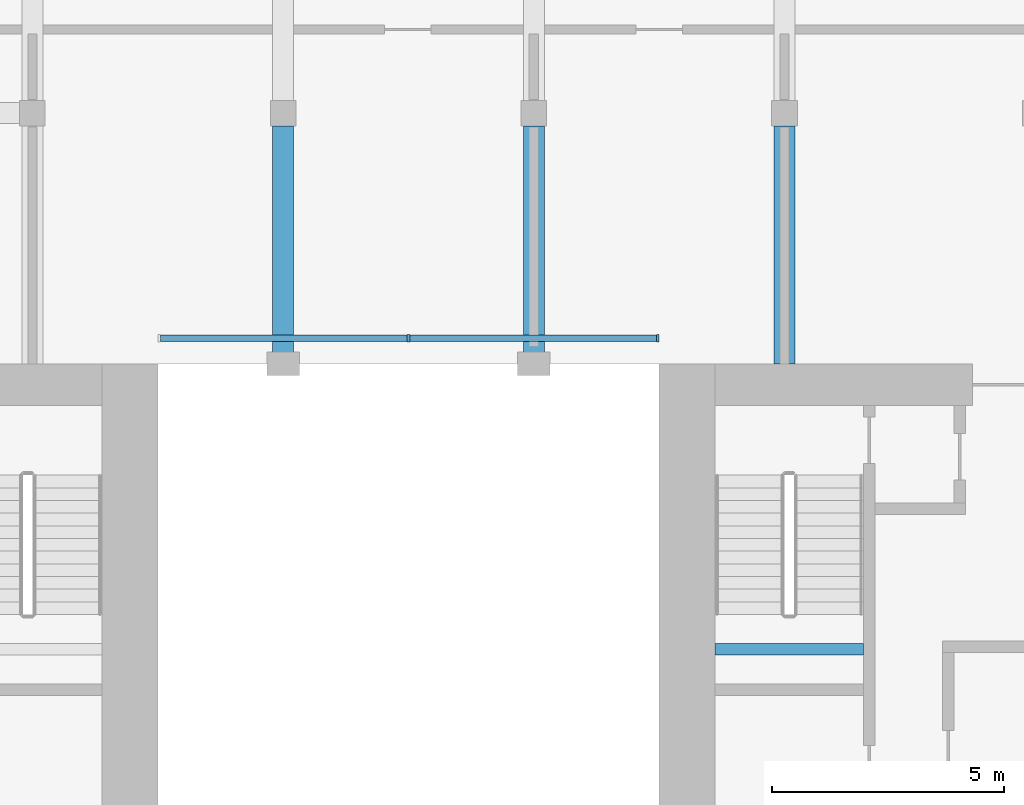
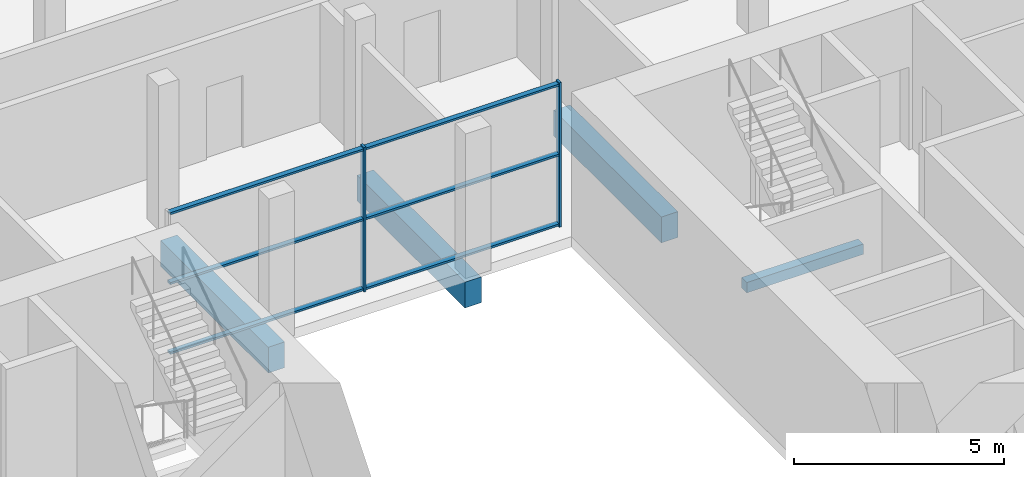
# One storey, part 4 of 12: 8 members, 4 beams, 1 element without a shape of its own.
"""IFC4 building model written with IfcOpenShell, lengths in metres."""

from ifc_helpers import new_model, si_unit, direction, frame, origin, origin_2d, place, context, subcontext, project, spatial, rectangle, extrude, material, material_profile, profile_set, type_object, element, aggregate, save


model = new_model("IFC4")

# Units and contexts
model_context = context("Model", 3, precision=1e-05, world=origin(), true_north=direction((0.0, 1.0)))
body_context = subcontext(model_context, "Body", "Model", "MODEL_VIEW")
ifc_project = project(units=[si_unit("LENGTHUNIT", "METRE"), si_unit("AREAUNIT", "SQUARE_METRE"), si_unit("VOLUMEUNIT", "CUBIC_METRE"), si_unit("PLANEANGLEUNIT", "RADIAN"), si_unit("MASSUNIT", "GRAM", prefix="KILO")], contexts=[model_context])

# Site, building, storey
site_placement = place(None, origin())
site = spatial("IfcSite", under=ifc_project, at=site_placement, CompositionType="ELEMENT")
building_placement = place(site_placement, origin())
building = spatial("IfcBuilding", under=site, at=building_placement, Name="Tabaq Tower and Sports Hall", CompositionType="ELEMENT")
storey_placement = place(building_placement, frame((0.0, 0.0, 317.199951171875)))
storey = spatial("IfcBuildingStorey", under=building, at=storey_placement, Name="L79", CompositionType="ELEMENT", Elevation=317.199951171875)

# Curtain wall, members
ifc_material_1 = material(Name="Aluminium alloy 6063-T6 framed glazing", Category="aluminium")
curtain_wall_type = type_object("IfcCurtainWallType", Name="CW1 curtain wall", PredefinedType="USERDEFINED", material=ifc_material_1)
curtain_wall_placement = place(storey_placement, origin())
curtain_wall = element("IfcCurtainWall", 1, at=curtain_wall_placement, inside=storey, type_object=curtain_wall_type, Name="Atrium glazing L79 N", ObjectType="ATRIUM ENCLOSURE", PredefinedType="USERDEFINED")
ifc_material_2 = material(Name="Aluminium alloy 6063-T6", Category="aluminium")
ifc_material_profile_1 = material_profile(ifc_material_2, rectangle(XDim=0.159912109375, YDim=0.06005859375, at=origin_2d()), Name="MULLION 160x60")
ifc_profile_set_1 = profile_set([ifc_material_profile_1], Name="Aluminium alloy 6063-T6")
member_type_1 = type_object("IfcMemberType", Name="CW1 mullion 160x60", PredefinedType="MULLION", material=ifc_profile_set_1)
member_1_placement = place(storey_placement, frame((24.300048828125, 32.949951171875, 0.0), z_axis=(0.0, 0.0, 1.0), x_axis=(0.0, 1.0, 0.0)))
member_1 = element("IfcMember", 2, at=member_1_placement, type_object=member_type_1, Name="CW1 mullion 2", PredefinedType="MULLION", context=body_context, shape_type="SweptSolid", body=[
    extrude(rectangle(XDim=0.159912109375, YDim=0.06005859375, at=origin_2d()), origin(), (0.0, 0.0, 1.0), 4.199951171875),
])
member_2_placement = place(storey_placement, frame((29.669921875, 32.949951171875, 0.0), z_axis=(0.0, 0.0, 1.0), x_axis=(0.0, 1.0, 0.0)))
member_2 = element("IfcMember", 3, at=member_2_placement, type_object=member_type_1, Name="CW1 mullion 3", PredefinedType="MULLION", context=body_context, shape_type="SweptSolid", body=[
    extrude(rectangle(XDim=0.159912109375, YDim=0.06005859375, at=origin_2d()), origin(), (0.0, 0.0, 1.0), 4.199951171875),
])
ifc_material_3 = material(Name="Aluminium alloy 6063-T6", Category="aluminium")
ifc_material_profile_2 = material_profile(ifc_material_3, rectangle(XDim=0.139892578125, YDim=0.06005859375, at=origin_2d()), Name="TRANSOM 140x60")
ifc_profile_set_2 = profile_set([ifc_material_profile_2], Name="Aluminium alloy 6063-T6")
member_type_2 = type_object("IfcMemberType", Name="CW1 transom 140x60", PredefinedType="USERDEFINED", material=ifc_profile_set_2)
member_3_placement = place(storey_placement, frame((18.9599609375, 32.949951171875, 0.070068359375), z_axis=(1.0, 0.0, 0.0), x_axis=(0.0, 1.0, 0.0)))
member_3 = element("IfcMember", 4, at=member_3_placement, type_object=member_type_2, Name="CW1 transom 1.1", ObjectType="TRANSOM", PredefinedType="USERDEFINED", context=body_context, shape_type="SweptSolid", body=[
    extrude(rectangle(XDim=0.139892578125, YDim=0.06005859375, at=origin_2d()), origin(), (0.0, 0.0, 1.0), 5.31005859375),
])
member_4_placement = place(storey_placement, frame((18.9599609375, 32.949951171875, 2.10009765625), z_axis=(1.0, 0.0, 0.0), x_axis=(0.0, 1.0, 0.0)))
member_4 = element("IfcMember", 5, at=member_4_placement, type_object=member_type_2, Name="CW1 transom 1.2", ObjectType="TRANSOM", PredefinedType="USERDEFINED", context=body_context, shape_type="SweptSolid", body=[
    extrude(rectangle(XDim=0.139892578125, YDim=0.06005859375, at=origin_2d()), origin(), (0.0, 0.0, 1.0), 5.31005859375),
])
member_5_placement = place(storey_placement, frame((18.9599609375, 32.949951171875, 4.130126953125), z_axis=(1.0, 0.0, 0.0), x_axis=(0.0, 1.0, 0.0)))
member_5 = element("IfcMember", 6, at=member_5_placement, type_object=member_type_2, Name="CW1 transom 1.3", ObjectType="TRANSOM", PredefinedType="USERDEFINED", context=body_context, shape_type="SweptSolid", body=[
    extrude(rectangle(XDim=0.139892578125, YDim=0.06005859375, at=origin_2d()), origin(), (0.0, 0.0, 1.0), 5.31005859375),
])
member_6_placement = place(storey_placement, frame((24.330078125, 32.949951171875, 0.070068359375), z_axis=(1.0, 0.0, 0.0), x_axis=(0.0, 1.0, 0.0)))
member_6 = element("IfcMember", 7, at=member_6_placement, type_object=member_type_2, Name="CW1 transom 2.1", ObjectType="TRANSOM", PredefinedType="USERDEFINED", context=body_context, shape_type="SweptSolid", body=[
    extrude(rectangle(XDim=0.139892578125, YDim=0.06005859375, at=origin_2d()), origin(), (0.0, 0.0, 1.0), 5.309814453125),
])
member_7_placement = place(storey_placement, frame((24.330078125, 32.949951171875, 2.10009765625), z_axis=(1.0, 0.0, 0.0), x_axis=(0.0, 1.0, 0.0)))
member_7 = element("IfcMember", 8, at=member_7_placement, type_object=member_type_2, Name="CW1 transom 2.2", ObjectType="TRANSOM", PredefinedType="USERDEFINED", context=body_context, shape_type="SweptSolid", body=[
    extrude(rectangle(XDim=0.139892578125, YDim=0.06005859375, at=origin_2d()), origin(), (0.0, 0.0, 1.0), 5.309814453125),
])
member_8_placement = place(storey_placement, frame((24.330078125, 32.949951171875, 4.130126953125), z_axis=(1.0, 0.0, 0.0), x_axis=(0.0, 1.0, 0.0)))
member_8 = element("IfcMember", 9, at=member_8_placement, type_object=member_type_2, Name="CW1 transom 2.3", ObjectType="TRANSOM", PredefinedType="USERDEFINED", context=body_context, shape_type="SweptSolid", body=[
    extrude(rectangle(XDim=0.139892578125, YDim=0.06005859375, at=origin_2d()), origin(), (0.0, 0.0, 1.0), 5.309814453125),
])
aggregate(curtain_wall, [member_1, member_2, member_3, member_4, member_5, member_6, member_7, member_8])

# Beams
ifc_material_4 = material(Name="Concrete C40/50", Category="concrete")
ifc_material_profile_3 = material_profile(ifc_material_4, rectangle(XDim=0.449951171875, YDim=0.75, at=origin_2d()), Name="CB 450x750")
ifc_profile_set_3 = profile_set([ifc_material_profile_3], Name="Concrete C40/50")
beam_type_1 = type_object("IfcBeamType", Name="PT CANTILEVER BEAM CB 450x750 C40/50", PredefinedType="BEAM", material=ifc_profile_set_3)
for number, where, z_axis, x_axis, name in (
    (10, (21.60009765625, 37.52490234375, -0.675048828125), (0.0, -1.0, 0.0), (1.0, 0.0, 0.0), "Cantilever Beam L79 N4 span 3"),
    (11, (27.0, 37.52490234375, -0.675048828125), (0.0, -1.0, 0.0), (1.0, 0.0, 0.0), "Cantilever Beam L79 N5 span 3"),
    (12, (32.39990234375, 37.52490234375, -0.675048828125), (0.0, -1.0, 0.0), (1.0, 0.0, 0.0), "Cantilever Beam L79 N6 span 3"),
):
    element("IfcBeam", number, at=place(storey_placement, frame(where, z_axis=z_axis, x_axis=x_axis)), inside=storey, type_object=beam_type_1, Name=name, PredefinedType="BEAM", context=body_context, shape_type="SweptSolid", body=[
        extrude(rectangle(XDim=0.449951171875, YDim=0.75, at=origin_2d()), origin(), (0.0, 0.0, 1.0), 5.125),
    ])
ifc_material_5 = material(Name="Concrete C40/50", Category="concrete")
ifc_material_profile_4 = material_profile(ifc_material_5, rectangle(XDim=0.25, YDim=0.300048828125, at=origin_2d()), Name="RC 250x300")
ifc_profile_set_4 = profile_set([ifc_material_profile_4], Name="Concrete C40/50")
beam_type_2 = type_object("IfcBeamType", Name="Stair landing beam 250x300", PredefinedType="BEAM", material=ifc_profile_set_4)
beam_placement = place(storey_placement, frame((30.89990234375, 26.25, 1.900146484375), z_axis=(1.0, 0.0, 0.0), x_axis=(0.0, 1.0, 0.0)))
element("IfcBeam", 13, at=beam_placement, inside=storey, type_object=beam_type_2, Name="L79 ST4 landing beam 1", PredefinedType="BEAM", context=body_context, shape_type="SweptSolid", body=[
    extrude(rectangle(XDim=0.25, YDim=0.300048828125, at=origin_2d()), origin(), (0.0, 0.0, 1.0), 3.2001953125),
])

save(model, "model.ifc")
